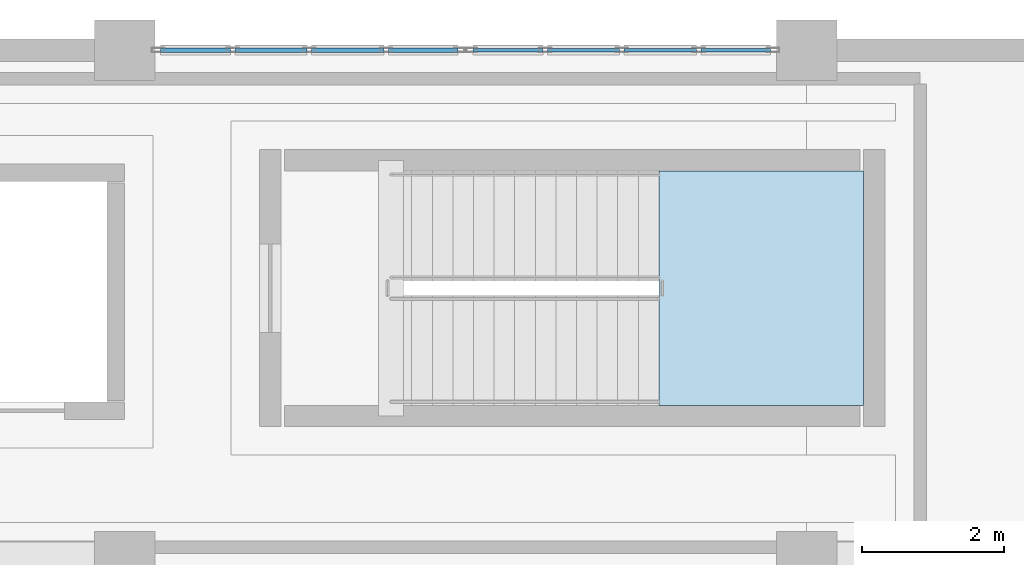
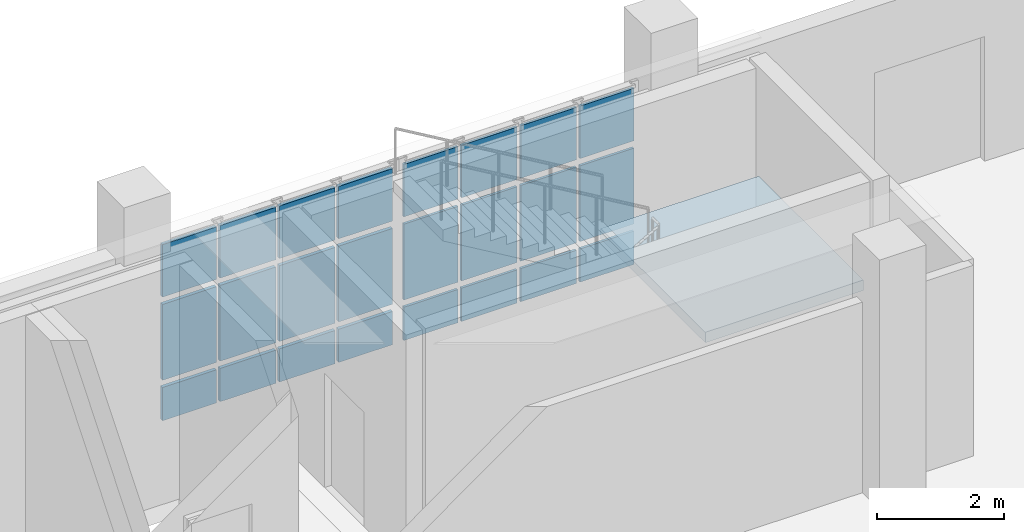
# One storey, part 52 of 97: 24 plates, 1 slab, 3 elements without a shape of their own.
"""IFC4 building model written with IfcOpenShell, lengths in metres."""

from ifc_helpers import new_model, si_unit, direction, frame, origin, origin_2d, place, context, subcontext, project, spatial, polyline, rectangle, outline, extrude, material, layer, layer_set, type_object, element, aggregate, save


model = new_model("IFC4")

# Units and contexts
model_context = context("Model", 3, precision=1e-05, world=origin(), true_north=direction((0.0, 1.0)))
body_context = subcontext(model_context, "Body", "Model", "MODEL_VIEW")
ifc_project = project(units=[si_unit("LENGTHUNIT", "METRE"), si_unit("AREAUNIT", "SQUARE_METRE"), si_unit("VOLUMEUNIT", "CUBIC_METRE"), si_unit("PLANEANGLEUNIT", "RADIAN"), si_unit("MASSUNIT", "GRAM", prefix="KILO")], contexts=[model_context])

# Site, building, storey
site_placement = place(None, origin())
site = spatial("IfcSite", under=ifc_project, at=site_placement, CompositionType="ELEMENT")
building_placement = place(site_placement, origin())
building = spatial("IfcBuilding", under=site, at=building_placement, Name="Kisaragi Civic Commons", CompositionType="ELEMENT")
storey_placement = place(building_placement, origin())
storey = spatial("IfcBuildingStorey", under=building, at=storey_placement, Name="L00", CompositionType="ELEMENT", Elevation=0.0)

# Curtain wall, plates
ifc_material_1 = material(Name="Thermally broken anodized aluminium and low-E double glazing", Category="aluminium")
ifc_layer_1 = layer(ifc_material_1, 0.179931640625, Name="Thermally broken anodized aluminium and low-E double glazing", Category="aluminium")
ifc_layer_set_1 = layer_set([ifc_layer_1], Name="Thermally broken anodized aluminium and low-E double glazing")
curtain_wall_type = type_object("IfcCurtainWallType", Name="CW-01", PredefinedType="NOTDEFINED", material=ifc_layer_set_1)
curtain_wall_1_placement = place(storey_placement, origin())
curtain_wall_1 = element("IfcCurtainWall", 1, at=curtain_wall_1_placement, inside=storey, type_object=curtain_wall_type, Name="L00 curtain wall CW-01 CW-V4-L00-047", PredefinedType="NOTDEFINED")
ifc_layer_2 = layer(ifc_material_1, 0.06396484375, Name="Thermally broken anodized aluminium and low-E double glazing", Category="aluminium")
ifc_layer_set_2 = layer_set([ifc_layer_2], Name="Thermally broken anodized aluminium and low-E double glazing")
plate_type_1 = type_object("IfcPlateType", Name="CWP-04", PredefinedType="CURTAIN_PANEL", material=ifc_layer_set_2)
plate_1_placement = place(storey_placement, frame((114.996337890625, 118.800048828125, 0.14013671875), z_axis=(0.0, 0.0, 1.0), x_axis=(1.0, 0.0, 0.0)))
plate_1 = element("IfcPlate", 2, at=plate_1_placement, type_object=plate_type_1, Name="CW-01 panel 1.1", PredefinedType="CURTAIN_PANEL", context=body_context, shape_type="SweptSolid", body=[
    extrude(rectangle(XDim=0.982421875, YDim=0.06396484375, at=origin_2d()), origin(), (0.0, 0.0, 1.0), 0.639892578125),
])
plate_2_placement = place(storey_placement, frame((114.996337890625, 118.800048828125, 0.919921875), z_axis=(0.0, 0.0, 1.0), x_axis=(1.0, 0.0, 0.0)))
plate_2 = element("IfcPlate", 3, at=plate_2_placement, type_object=plate_type_1, Name="CW-01 panel 1.2", PredefinedType="CURTAIN_PANEL", context=body_context, shape_type="SweptSolid", body=[
    extrude(rectangle(XDim=0.982421875, YDim=0.06396484375, at=origin_2d()), origin(), (0.0, 0.0, 1.0), 1.4599609375),
])
plate_3_placement = place(storey_placement, frame((114.996337890625, 118.800048828125, 2.52001953125), z_axis=(0.0, 0.0, 1.0), x_axis=(1.0, 0.0, 0.0)))
plate_3 = element("IfcPlate", 4, at=plate_3_placement, type_object=plate_type_1, Name="CW-01 panel 1.3", PredefinedType="CURTAIN_PANEL", context=body_context, shape_type="SweptSolid", body=[
    extrude(rectangle(XDim=0.982421875, YDim=0.06396484375, at=origin_2d()), origin(), (0.0, 0.0, 1.0), 1.010009765625),
])
plate_4_placement = place(storey_placement, frame((116.06005859375, 118.800048828125, 0.14013671875), z_axis=(0.0, 0.0, 1.0), x_axis=(1.0, 0.0, 0.0)))
plate_4 = element("IfcPlate", 5, at=plate_4_placement, type_object=plate_type_1, Name="CW-01 panel 2.1", PredefinedType="CURTAIN_PANEL", context=body_context, shape_type="SweptSolid", body=[
    extrude(rectangle(XDim=1.014892578125, YDim=0.06396484375, at=origin_2d()), origin(), (0.0, 0.0, 1.0), 0.639892578125),
])
plate_5_placement = place(storey_placement, frame((116.06005859375, 118.800048828125, 0.919921875), z_axis=(0.0, 0.0, 1.0), x_axis=(1.0, 0.0, 0.0)))
plate_5 = element("IfcPlate", 6, at=plate_5_placement, type_object=plate_type_1, Name="CW-01 panel 2.2", PredefinedType="CURTAIN_PANEL", context=body_context, shape_type="SweptSolid", body=[
    extrude(rectangle(XDim=1.014892578125, YDim=0.06396484375, at=origin_2d()), origin(), (0.0, 0.0, 1.0), 1.4599609375),
])
plate_6_placement = place(storey_placement, frame((116.06005859375, 118.800048828125, 2.52001953125), z_axis=(0.0, 0.0, 1.0), x_axis=(1.0, 0.0, 0.0)))
plate_6 = element("IfcPlate", 7, at=plate_6_placement, type_object=plate_type_1, Name="CW-01 panel 2.3", PredefinedType="CURTAIN_PANEL", context=body_context, shape_type="SweptSolid", body=[
    extrude(rectangle(XDim=1.014892578125, YDim=0.06396484375, at=origin_2d()), origin(), (0.0, 0.0, 1.0), 1.010009765625),
])
plate_7_placement = place(storey_placement, frame((117.139892578125, 118.800048828125, 0.14013671875), z_axis=(0.0, 0.0, 1.0), x_axis=(1.0, 0.0, 0.0)))
plate_7 = element("IfcPlate", 8, at=plate_7_placement, type_object=plate_type_1, Name="CW-01 panel 3.1", PredefinedType="CURTAIN_PANEL", context=body_context, shape_type="SweptSolid", body=[
    extrude(rectangle(XDim=1.014892578125, YDim=0.06396484375, at=origin_2d()), origin(), (0.0, 0.0, 1.0), 0.639892578125),
])
plate_8_placement = place(storey_placement, frame((117.139892578125, 118.800048828125, 0.919921875), z_axis=(0.0, 0.0, 1.0), x_axis=(1.0, 0.0, 0.0)))
plate_8 = element("IfcPlate", 9, at=plate_8_placement, type_object=plate_type_1, Name="CW-01 panel 3.2", PredefinedType="CURTAIN_PANEL", context=body_context, shape_type="SweptSolid", body=[
    extrude(rectangle(XDim=1.014892578125, YDim=0.06396484375, at=origin_2d()), origin(), (0.0, 0.0, 1.0), 1.4599609375),
])
plate_9_placement = place(storey_placement, frame((117.139892578125, 118.800048828125, 2.52001953125), z_axis=(0.0, 0.0, 1.0), x_axis=(1.0, 0.0, 0.0)))
plate_9 = element("IfcPlate", 10, at=plate_9_placement, type_object=plate_type_1, Name="CW-01 panel 3.3", PredefinedType="CURTAIN_PANEL", context=body_context, shape_type="SweptSolid", body=[
    extrude(rectangle(XDim=1.014892578125, YDim=0.06396484375, at=origin_2d()), origin(), (0.0, 0.0, 1.0), 1.010009765625),
])
plate_10_placement = place(storey_placement, frame((118.203857421875, 118.800048828125, 0.14013671875), z_axis=(0.0, 0.0, 1.0), x_axis=(1.0, 0.0, 0.0)))
plate_10 = element("IfcPlate", 11, at=plate_10_placement, type_object=plate_type_1, Name="CW-01 panel 4.1", PredefinedType="CURTAIN_PANEL", context=body_context, shape_type="SweptSolid", body=[
    extrude(rectangle(XDim=0.982421875, YDim=0.06396484375, at=origin_2d()), origin(), (0.0, 0.0, 1.0), 0.639892578125),
])
plate_11_placement = place(storey_placement, frame((118.203857421875, 118.800048828125, 0.919921875), z_axis=(0.0, 0.0, 1.0), x_axis=(1.0, 0.0, 0.0)))
plate_11 = element("IfcPlate", 12, at=plate_11_placement, type_object=plate_type_1, Name="CW-01 panel 4.2", PredefinedType="CURTAIN_PANEL", context=body_context, shape_type="SweptSolid", body=[
    extrude(rectangle(XDim=0.982421875, YDim=0.06396484375, at=origin_2d()), origin(), (0.0, 0.0, 1.0), 1.4599609375),
])
plate_12_placement = place(storey_placement, frame((118.203857421875, 118.800048828125, 2.52001953125), z_axis=(0.0, 0.0, 1.0), x_axis=(1.0, 0.0, 0.0)))
plate_12 = element("IfcPlate", 13, at=plate_12_placement, type_object=plate_type_1, Name="CW-01 panel 4.3", PredefinedType="CURTAIN_PANEL", context=body_context, shape_type="SweptSolid", body=[
    extrude(rectangle(XDim=0.982421875, YDim=0.06396484375, at=origin_2d()), origin(), (0.0, 0.0, 1.0), 1.010009765625),
])
aggregate(curtain_wall_1, [plate_1, plate_2, plate_3, plate_4, plate_5, plate_6, plate_7, plate_8, plate_9, plate_10, plate_11, plate_12])

curtain_wall_2_placement = place(storey_placement, origin())
curtain_wall_2 = element("IfcCurtainWall", 14, at=curtain_wall_2_placement, inside=storey, type_object=curtain_wall_type, Name="L00 curtain wall CW-01 CW-V4-L00-048", PredefinedType="NOTDEFINED")
ifc_layer_3 = layer(ifc_material_1, 0.048095703125, Name="Thermally broken anodized aluminium and low-E double glazing", Category="aluminium")
ifc_layer_set_3 = layer_set([ifc_layer_3], Name="Thermally broken anodized aluminium and low-E double glazing")
plate_type_2 = type_object("IfcPlateType", Name="CWP-05", PredefinedType="CURTAIN_PANEL", material=ifc_layer_set_3)
plate_13_placement = place(storey_placement, frame((119.396240234375, 118.800048828125, 0.14013671875), z_axis=(0.0, 0.0, 1.0), x_axis=(1.0, 0.0, 0.0)))
plate_13 = element("IfcPlate", 15, at=plate_13_placement, type_object=plate_type_2, Name="CW-01 panel 1.1", PredefinedType="CURTAIN_PANEL", context=body_context, shape_type="SweptSolid", body=[
    extrude(rectangle(XDim=0.982421875, YDim=0.048095703125, at=origin_2d()), origin(), (0.0, 0.0, 1.0), 0.639892578125),
])
plate_14_placement = place(storey_placement, frame((119.396240234375, 118.800048828125, 0.919921875), z_axis=(0.0, 0.0, 1.0), x_axis=(1.0, 0.0, 0.0)))
plate_14 = element("IfcPlate", 16, at=plate_14_placement, type_object=plate_type_2, Name="CW-01 panel 1.2", PredefinedType="CURTAIN_PANEL", context=body_context, shape_type="SweptSolid", body=[
    extrude(rectangle(XDim=0.982421875, YDim=0.048095703125, at=origin_2d()), origin(), (0.0, 0.0, 1.0), 1.4599609375),
])
plate_15_placement = place(storey_placement, frame((119.396240234375, 118.800048828125, 2.52001953125), z_axis=(0.0, 0.0, 1.0), x_axis=(1.0, 0.0, 0.0)))
plate_15 = element("IfcPlate", 17, at=plate_15_placement, type_object=plate_type_2, Name="CW-01 panel 1.3", PredefinedType="CURTAIN_PANEL", context=body_context, shape_type="SweptSolid", body=[
    extrude(rectangle(XDim=0.982421875, YDim=0.048095703125, at=origin_2d()), origin(), (0.0, 0.0, 1.0), 1.010009765625),
])
plate_16_placement = place(storey_placement, frame((120.4599609375, 118.800048828125, 0.14013671875), z_axis=(0.0, 0.0, 1.0), x_axis=(1.0, 0.0, 0.0)))
plate_16 = element("IfcPlate", 18, at=plate_16_placement, type_object=plate_type_2, Name="CW-01 panel 2.1", PredefinedType="CURTAIN_PANEL", context=body_context, shape_type="SweptSolid", body=[
    extrude(rectangle(XDim=1.014892578125, YDim=0.048095703125, at=origin_2d()), origin(), (0.0, 0.0, 1.0), 0.639892578125),
])
plate_17_placement = place(storey_placement, frame((120.4599609375, 118.800048828125, 0.919921875), z_axis=(0.0, 0.0, 1.0), x_axis=(1.0, 0.0, 0.0)))
plate_17 = element("IfcPlate", 19, at=plate_17_placement, type_object=plate_type_2, Name="CW-01 panel 2.2", PredefinedType="CURTAIN_PANEL", context=body_context, shape_type="SweptSolid", body=[
    extrude(rectangle(XDim=1.014892578125, YDim=0.048095703125, at=origin_2d()), origin(), (0.0, 0.0, 1.0), 1.4599609375),
])
plate_18_placement = place(storey_placement, frame((120.4599609375, 118.800048828125, 2.52001953125), z_axis=(0.0, 0.0, 1.0), x_axis=(1.0, 0.0, 0.0)))
plate_18 = element("IfcPlate", 20, at=plate_18_placement, type_object=plate_type_2, Name="CW-01 panel 2.3", PredefinedType="CURTAIN_PANEL", context=body_context, shape_type="SweptSolid", body=[
    extrude(rectangle(XDim=1.014892578125, YDim=0.048095703125, at=origin_2d()), origin(), (0.0, 0.0, 1.0), 1.010009765625),
])
plate_19_placement = place(storey_placement, frame((121.5400390625, 118.800048828125, 0.14013671875), z_axis=(0.0, 0.0, 1.0), x_axis=(1.0, 0.0, 0.0)))
plate_19 = element("IfcPlate", 21, at=plate_19_placement, type_object=plate_type_2, Name="CW-01 panel 3.1", PredefinedType="CURTAIN_PANEL", context=body_context, shape_type="SweptSolid", body=[
    extrude(rectangle(XDim=1.014892578125, YDim=0.048095703125, at=origin_2d()), origin(), (0.0, 0.0, 1.0), 0.639892578125),
])
plate_20_placement = place(storey_placement, frame((121.5400390625, 118.800048828125, 0.919921875), z_axis=(0.0, 0.0, 1.0), x_axis=(1.0, 0.0, 0.0)))
plate_20 = element("IfcPlate", 22, at=plate_20_placement, type_object=plate_type_2, Name="CW-01 panel 3.2", PredefinedType="CURTAIN_PANEL", context=body_context, shape_type="SweptSolid", body=[
    extrude(rectangle(XDim=1.014892578125, YDim=0.048095703125, at=origin_2d()), origin(), (0.0, 0.0, 1.0), 1.4599609375),
])
plate_21_placement = place(storey_placement, frame((121.5400390625, 118.800048828125, 2.52001953125), z_axis=(0.0, 0.0, 1.0), x_axis=(1.0, 0.0, 0.0)))
plate_21 = element("IfcPlate", 23, at=plate_21_placement, type_object=plate_type_2, Name="CW-01 panel 3.3", PredefinedType="CURTAIN_PANEL", context=body_context, shape_type="SweptSolid", body=[
    extrude(rectangle(XDim=1.014892578125, YDim=0.048095703125, at=origin_2d()), origin(), (0.0, 0.0, 1.0), 1.010009765625),
])
plate_22_placement = place(storey_placement, frame((122.603759765625, 118.800048828125, 0.14013671875), z_axis=(0.0, 0.0, 1.0), x_axis=(1.0, 0.0, 0.0)))
plate_22 = element("IfcPlate", 24, at=plate_22_placement, type_object=plate_type_2, Name="CW-01 panel 4.1", PredefinedType="CURTAIN_PANEL", context=body_context, shape_type="SweptSolid", body=[
    extrude(rectangle(XDim=0.982421875, YDim=0.048095703125, at=origin_2d()), origin(), (0.0, 0.0, 1.0), 0.639892578125),
])
plate_23_placement = place(storey_placement, frame((122.603759765625, 118.800048828125, 0.919921875), z_axis=(0.0, 0.0, 1.0), x_axis=(1.0, 0.0, 0.0)))
plate_23 = element("IfcPlate", 25, at=plate_23_placement, type_object=plate_type_2, Name="CW-01 panel 4.2", PredefinedType="CURTAIN_PANEL", context=body_context, shape_type="SweptSolid", body=[
    extrude(rectangle(XDim=0.982421875, YDim=0.048095703125, at=origin_2d()), origin(), (0.0, 0.0, 1.0), 1.4599609375),
])
plate_24_placement = place(storey_placement, frame((122.603759765625, 118.800048828125, 2.52001953125), z_axis=(0.0, 0.0, 1.0), x_axis=(1.0, 0.0, 0.0)))
plate_24 = element("IfcPlate", 26, at=plate_24_placement, type_object=plate_type_2, Name="CW-01 panel 4.3", PredefinedType="CURTAIN_PANEL", context=body_context, shape_type="SweptSolid", body=[
    extrude(rectangle(XDim=0.982421875, YDim=0.048095703125, at=origin_2d()), origin(), (0.0, 0.0, 1.0), 1.010009765625),
])
aggregate(curtain_wall_2, [plate_13, plate_14, plate_15, plate_16, plate_17, plate_18, plate_19, plate_20, plate_21, plate_22, plate_23, plate_24])

# Stair, slab
ifc_material_2 = material(Name="Concrete Fc30", Category="concrete")
stair_type = type_object("IfcStairType", Name="ST-A", PredefinedType="HALF_TURN_STAIR", material=ifc_material_2)
stair_placement = place(storey_placement, origin())
stair = element("IfcStair", 27, at=stair_placement, inside=storey, type_object=stair_type, Name="L00 Stair ST-L2", PredefinedType="HALF_TURN_STAIR")
ifc_layer_4 = layer(ifc_material_2, 0.199951171875, Name="Concrete Fc30", Category="concrete")
ifc_layer_set_4 = layer_set([ifc_layer_4], Name="Concrete Fc30")
slab_type = type_object("IfcSlabType", Name="STL-01", PredefinedType="LANDING", material=ifc_layer_set_4)
slab_placement = place(storey_placement, frame((0.0, 0.0, 2.199951171875)))
slab = element("IfcSlab", 28, at=slab_placement, type_object=slab_type, Name="ST-L2 landing 1", PredefinedType="LANDING", context=body_context, shape_type="SweptSolid", body=[
    extrude(outline(polyline([(121.52001953125, 113.800048828125), (124.39990234375, 113.800048828125), (124.39990234375, 117.10009765625), (121.52001953125, 117.10009765625), (121.52001953125, 113.800048828125)])), origin(), (0.0, 0.0, 1.0), 0.199951171875),
])
aggregate(stair, [slab])

save(model, "model.ifc")
